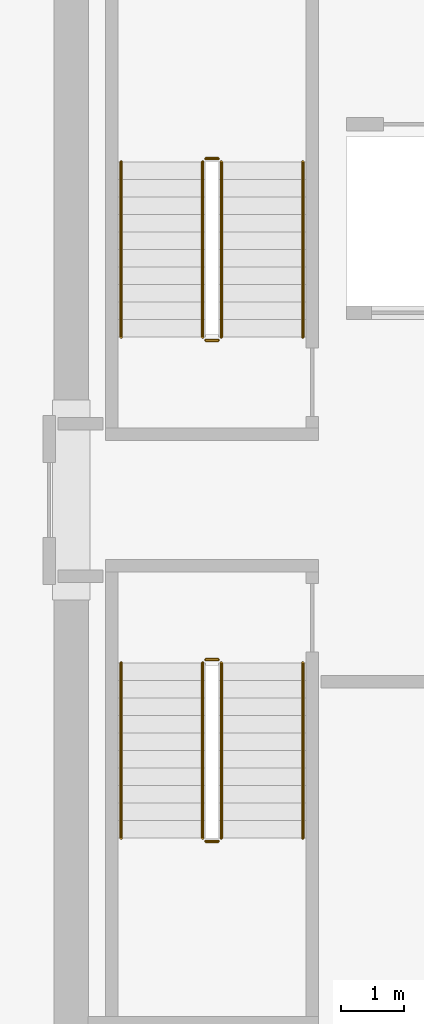
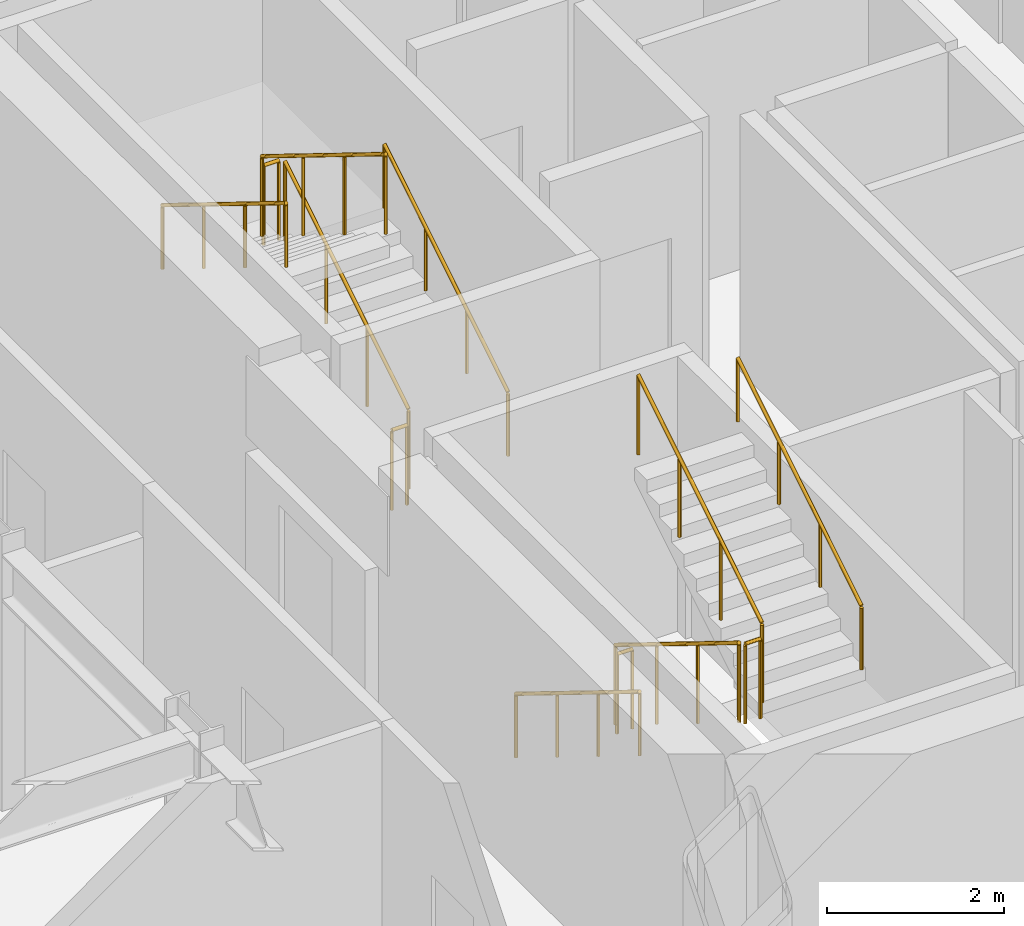
# One storey, part 26 of 27: 12 railings.
"""IFC4 building model written with IfcOpenShell, lengths in metres."""

from ifc_helpers import new_model, si_unit, direction, frame, origin, origin_2d, place, context, subcontext, project, spatial, circle, extrude, material, type_object, element, save


model = new_model("IFC4")

# Units and contexts
model_context = context("Model", 3, precision=1e-05, world=origin(), true_north=direction((0.0, 1.0)))
body_context = subcontext(model_context, "Body", "Model", "MODEL_VIEW")
ifc_project = project(units=[si_unit("LENGTHUNIT", "METRE"), si_unit("AREAUNIT", "SQUARE_METRE"), si_unit("VOLUMEUNIT", "CUBIC_METRE"), si_unit("PLANEANGLEUNIT", "RADIAN"), si_unit("MASSUNIT", "GRAM", prefix="KILO")], contexts=[model_context])

# Site, building, storey
site_placement = place(None, origin())
site = spatial("IfcSite", under=ifc_project, at=site_placement, CompositionType="ELEMENT")
building_placement = place(site_placement, origin())
building = spatial("IfcBuilding", under=site, at=building_placement, Name="Nefas-Gora Pilgrimage Tower", CompositionType="ELEMENT")
storey_placement = place(building_placement, frame((0.0, 0.0, 183.0)))
storey = spatial("IfcBuildingStorey", under=building, at=storey_placement, Name="L45", CompositionType="ELEMENT", Elevation=183.0)

# Railings
ifc_material_1 = material(Name="Painted galvanised steel", Category="steel")
railing_type_1 = type_object("IfcRailingType", Name="RLG-STR-GUARD-1100", PredefinedType="GUARDRAIL", material=ifc_material_1)
railing_1_placement = place(storey_placement, frame((-8.85009765625, 2.60009765625, 0.172607421875)))
element("IfcRailing", 1, at=railing_1_placement, inside=storey, type_object=railing_type_1, Name="L45 ST-01 stair guard 1", PredefinedType="GUARDRAIL", context=body_context, shape_type="SweptSolid", body=[
    extrude(circle(Radius=0.02392578125, at=origin_2d()), frame((0.0, 0.0, 1.09619140625), z_axis=(0.0, 0.851069175582, 0.525053576669), x_axis=(-1.0, 0.0, 0.0)), (0.0, 0.0, 1.0), 3.289794921875),
    extrude(circle(Radius=0.02099609375, at=origin_2d()), origin(), (0.0, 0.0, 1.0), 1.072021484375),
    extrude(circle(Radius=0.02099609375, at=origin_2d()), frame((0.0, 0.933349609375, 0.57568359375)), (0.0, 0.0, 1.0), 1.072021484375),
    extrude(circle(Radius=0.02099609375, at=origin_2d()), frame((0.0, 1.866455078125, 1.151611328125)), (0.0, 0.0, 1.0), 1.072021484375),
    extrude(circle(Radius=0.02099609375, at=origin_2d()), frame((0.0, 2.7998046875, 1.727294921875)), (0.0, 0.0, 1.0), 1.072021484375),
])
railing_2_placement = place(storey_placement, frame((-8.89990234375, 5.449951171875, 1.89990234375)))
element("IfcRailing", 2, at=railing_2_placement, inside=storey, type_object=railing_type_1, Name="L45 ST-01 stair guard 2", PredefinedType="GUARDRAIL", context=body_context, shape_type="SweptSolid", body=[
    extrude(circle(Radius=0.02392578125, at=origin_2d()), frame((0.0, 0.0, 1.09619140625), z_axis=(-1.0, 0.0, 0.0), x_axis=(0.0, -1.0, 0.0)), (0.0, 0.0, 1.0), 0.2001953125),
    extrude(circle(Radius=0.02099609375, at=origin_2d()), origin(), (0.0, 0.0, 1.0), 1.072021484375),
    extrude(circle(Radius=0.02099609375, at=origin_2d()), frame((-0.2001953125, 0.0, 0.0)), (0.0, 0.0, 1.0), 1.072021484375),
])
railing_3_placement = place(storey_placement, frame((-9.14990234375, 5.39990234375, 2.07275390625)))
element("IfcRailing", 3, at=railing_3_placement, inside=storey, type_object=railing_type_1, Name="L45 ST-01 stair guard 3", PredefinedType="GUARDRAIL", context=body_context, shape_type="SweptSolid", body=[
    extrude(circle(Radius=0.02392578125, at=origin_2d()), frame((0.0, 0.0, 1.09619140625), z_axis=(0.0, -0.851069175582, 0.525053576669), x_axis=(1.0, 0.0, 0.0)), (0.0, 0.0, 1.0), 3.289794921875),
    extrude(circle(Radius=0.02099609375, at=origin_2d()), origin(), (0.0, 0.0, 1.0), 1.072021484375),
    extrude(circle(Radius=0.02099609375, at=origin_2d()), frame((0.0, -0.933349609375, 0.57568359375)), (0.0, 0.0, 1.0), 1.072021484375),
    extrude(circle(Radius=0.02099609375, at=origin_2d()), frame((0.0, -1.866455078125, 1.151611328125)), (0.0, 0.0, 1.0), 1.072021484375),
    extrude(circle(Radius=0.02099609375, at=origin_2d()), frame((0.0, -2.7998046875, 1.727294921875)), (0.0, 0.0, 1.0), 1.072021484375),
])
railing_4_placement = place(storey_placement, frame((-8.89990234375, 2.550048828125, 0.0)))
element("IfcRailing", 4, at=railing_4_placement, inside=storey, type_object=railing_type_1, Name="L45 ST-01 stair guard 4", PredefinedType="GUARDRAIL", context=body_context, shape_type="SweptSolid", body=[
    extrude(circle(Radius=0.02392578125, at=origin_2d()), frame((0.0, 0.0, 1.09619140625), z_axis=(-1.0, 0.0, 0.0), x_axis=(0.0, -1.0, 0.0)), (0.0, 0.0, 1.0), 0.2001953125),
    extrude(circle(Radius=0.02099609375, at=origin_2d()), origin(), (0.0, 0.0, 1.0), 1.072021484375),
    extrude(circle(Radius=0.02099609375, at=origin_2d()), frame((-0.2001953125, 0.0, 0.0)), (0.0, 0.0, 1.0), 1.072021484375),
])
railing_5_placement = place(storey_placement, frame((-9.14990234375, -2.60009765625, 0.172607421875)))
element("IfcRailing", 5, at=railing_5_placement, inside=storey, type_object=railing_type_1, Name="L45 ST-03 stair guard 1", PredefinedType="GUARDRAIL", context=body_context, shape_type="SweptSolid", body=[
    extrude(circle(Radius=0.02392578125, at=origin_2d()), frame((0.0, 0.0, 1.09619140625), z_axis=(0.0, -0.851069175582, 0.525053576669), x_axis=(1.0, 0.0, 0.0)), (0.0, 0.0, 1.0), 3.289794921875),
    extrude(circle(Radius=0.02099609375, at=origin_2d()), origin(), (0.0, 0.0, 1.0), 1.072021484375),
    extrude(circle(Radius=0.02099609375, at=origin_2d()), frame((0.0, -0.933349609375, 0.57568359375)), (0.0, 0.0, 1.0), 1.072021484375),
    extrude(circle(Radius=0.02099609375, at=origin_2d()), frame((0.0, -1.866455078125, 1.151611328125)), (0.0, 0.0, 1.0), 1.072021484375),
    extrude(circle(Radius=0.02099609375, at=origin_2d()), frame((0.0, -2.7998046875, 1.727294921875)), (0.0, 0.0, 1.0), 1.072021484375),
])
railing_6_placement = place(storey_placement, frame((-9.10009765625, -5.449951171875, 1.89990234375)))
element("IfcRailing", 6, at=railing_6_placement, inside=storey, type_object=railing_type_1, Name="L45 ST-03 stair guard 2", PredefinedType="GUARDRAIL", context=body_context, shape_type="SweptSolid", body=[
    extrude(circle(Radius=0.02392578125, at=origin_2d()), frame((0.0, 0.0, 1.09619140625), z_axis=(1.0, 0.0, 0.0), x_axis=(0.0, 1.0, 0.0)), (0.0, 0.0, 1.0), 0.2001953125),
    extrude(circle(Radius=0.02099609375, at=origin_2d()), origin(), (0.0, 0.0, 1.0), 1.072021484375),
    extrude(circle(Radius=0.02099609375, at=origin_2d()), frame((0.2001953125, 0.0, 0.0)), (0.0, 0.0, 1.0), 1.072021484375),
])
railing_7_placement = place(storey_placement, frame((-8.85009765625, -5.39990234375, 2.07275390625)))
element("IfcRailing", 7, at=railing_7_placement, inside=storey, type_object=railing_type_1, Name="L45 ST-03 stair guard 3", PredefinedType="GUARDRAIL", context=body_context, shape_type="SweptSolid", body=[
    extrude(circle(Radius=0.02392578125, at=origin_2d()), frame((0.0, 0.0, 1.09619140625), z_axis=(0.0, 0.851069175582, 0.525053576669), x_axis=(-1.0, 0.0, 0.0)), (0.0, 0.0, 1.0), 3.289794921875),
    extrude(circle(Radius=0.02099609375, at=origin_2d()), origin(), (0.0, 0.0, 1.0), 1.072021484375),
    extrude(circle(Radius=0.02099609375, at=origin_2d()), frame((0.0, 0.933349609375, 0.57568359375)), (0.0, 0.0, 1.0), 1.072021484375),
    extrude(circle(Radius=0.02099609375, at=origin_2d()), frame((0.0, 1.866455078125, 1.151611328125)), (0.0, 0.0, 1.0), 1.072021484375),
    extrude(circle(Radius=0.02099609375, at=origin_2d()), frame((0.0, 2.7998046875, 1.727294921875)), (0.0, 0.0, 1.0), 1.072021484375),
])
railing_8_placement = place(storey_placement, frame((-9.10009765625, -2.550048828125, 0.0)))
element("IfcRailing", 8, at=railing_8_placement, inside=storey, type_object=railing_type_1, Name="L45 ST-03 stair guard 4", PredefinedType="GUARDRAIL", context=body_context, shape_type="SweptSolid", body=[
    extrude(circle(Radius=0.02392578125, at=origin_2d()), frame((0.0, 0.0, 1.09619140625), z_axis=(1.0, 0.0, 0.0), x_axis=(0.0, 1.0, 0.0)), (0.0, 0.0, 1.0), 0.2001953125),
    extrude(circle(Radius=0.02099609375, at=origin_2d()), origin(), (0.0, 0.0, 1.0), 1.072021484375),
    extrude(circle(Radius=0.02099609375, at=origin_2d()), frame((0.2001953125, 0.0, 0.0)), (0.0, 0.0, 1.0), 1.072021484375),
])
ifc_material_2 = material(Name="Brushed stainless steel", Category="steel")
railing_type_2 = type_object("IfcRailingType", Name="RLG-STR-HAND-900", PredefinedType="HANDRAIL", material=ifc_material_2)
railing_9_placement = place(storey_placement, frame((-7.550048828125, 2.60009765625, 0.172607421875)))
element("IfcRailing", 9, at=railing_9_placement, inside=storey, type_object=railing_type_2, Name="L45 ST-01 stair handrail 1", PredefinedType="HANDRAIL", context=body_context, shape_type="SweptSolid", body=[
    extrude(circle(Radius=0.02392578125, at=origin_2d()), frame((0.0, 0.0, 0.8759765625), z_axis=(0.0, 0.851069175582, 0.525053576669), x_axis=(-1.0, 0.0, 0.0)), (0.0, 0.0, 1.0), 3.289794921875),
    extrude(circle(Radius=0.02099609375, at=origin_2d()), origin(), (0.0, 0.0, 1.0), 0.851806640625),
    extrude(circle(Radius=0.02099609375, at=origin_2d()), frame((0.0, 0.933349609375, 0.57568359375)), (0.0, 0.0, 1.0), 0.851806640625),
    extrude(circle(Radius=0.02099609375, at=origin_2d()), frame((0.0, 1.866455078125, 1.151611328125)), (0.0, 0.0, 1.0), 0.851806640625),
    extrude(circle(Radius=0.02099609375, at=origin_2d()), frame((0.0, 2.7998046875, 1.727294921875)), (0.0, 0.0, 1.0), 0.851806640625),
])
for number, where, name in (
    (10, (-10.449951171875, 5.39990234375, 2.07275390625), "L45 ST-01 stair handrail 2"),
    (11, (-10.449951171875, -2.60009765625, 0.172607421875), "L45 ST-03 stair handrail 1"),
):
    element("IfcRailing", number, at=place(storey_placement, frame(where)), inside=storey, type_object=railing_type_2, Name=name, PredefinedType="HANDRAIL", context=body_context, shape_type="SweptSolid", body=[
        extrude(circle(Radius=0.02392578125, at=origin_2d()), frame((0.0, 0.0, 0.8759765625), z_axis=(0.0, -0.851069175582, 0.525053576669), x_axis=(1.0, 0.0, 0.0)), (0.0, 0.0, 1.0), 3.289794921875),
        extrude(circle(Radius=0.02099609375, at=origin_2d()), origin(), (0.0, 0.0, 1.0), 0.851806640625),
        extrude(circle(Radius=0.02099609375, at=origin_2d()), frame((0.0, -0.933349609375, 0.57568359375)), (0.0, 0.0, 1.0), 0.851806640625),
        extrude(circle(Radius=0.02099609375, at=origin_2d()), frame((0.0, -1.866455078125, 1.151611328125)), (0.0, 0.0, 1.0), 0.851806640625),
        extrude(circle(Radius=0.02099609375, at=origin_2d()), frame((0.0, -2.7998046875, 1.727294921875)), (0.0, 0.0, 1.0), 0.851806640625),
    ])
railing_10_placement = place(storey_placement, frame((-7.550048828125, -5.39990234375, 2.07275390625)))
element("IfcRailing", 12, at=railing_10_placement, inside=storey, type_object=railing_type_2, Name="L45 ST-03 stair handrail 2", PredefinedType="HANDRAIL", context=body_context, shape_type="SweptSolid", body=[
    extrude(circle(Radius=0.02392578125, at=origin_2d()), frame((0.0, 0.0, 0.8759765625), z_axis=(0.0, 0.851069175582, 0.525053576669), x_axis=(-1.0, 0.0, 0.0)), (0.0, 0.0, 1.0), 3.289794921875),
    extrude(circle(Radius=0.02099609375, at=origin_2d()), origin(), (0.0, 0.0, 1.0), 0.851806640625),
    extrude(circle(Radius=0.02099609375, at=origin_2d()), frame((0.0, 0.933349609375, 0.57568359375)), (0.0, 0.0, 1.0), 0.851806640625),
    extrude(circle(Radius=0.02099609375, at=origin_2d()), frame((0.0, 1.866455078125, 1.151611328125)), (0.0, 0.0, 1.0), 0.851806640625),
    extrude(circle(Radius=0.02099609375, at=origin_2d()), frame((0.0, 2.7998046875, 1.727294921875)), (0.0, 0.0, 1.0), 0.851806640625),
])

save(model, "model.ifc")
